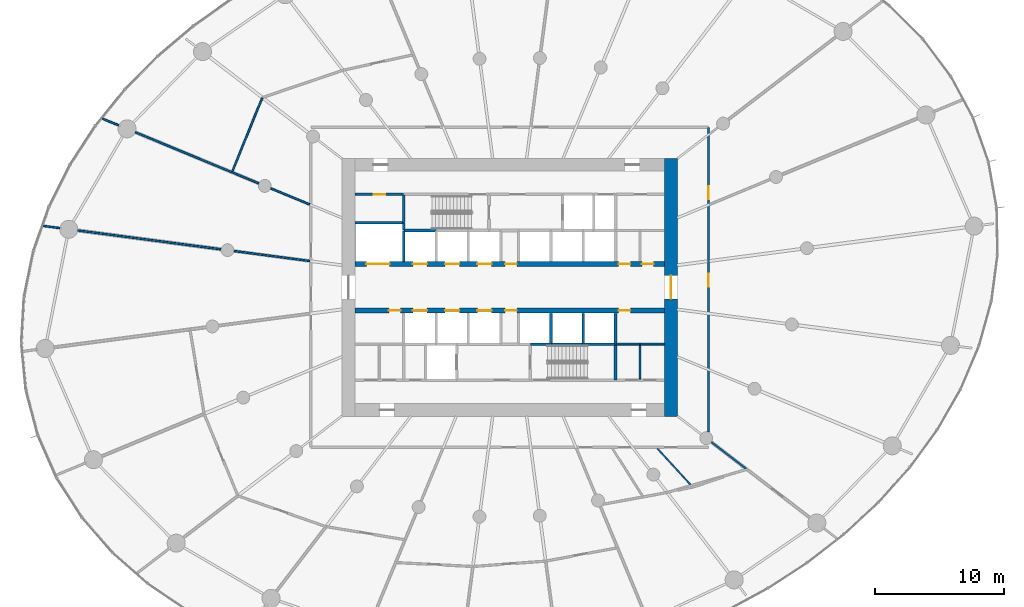
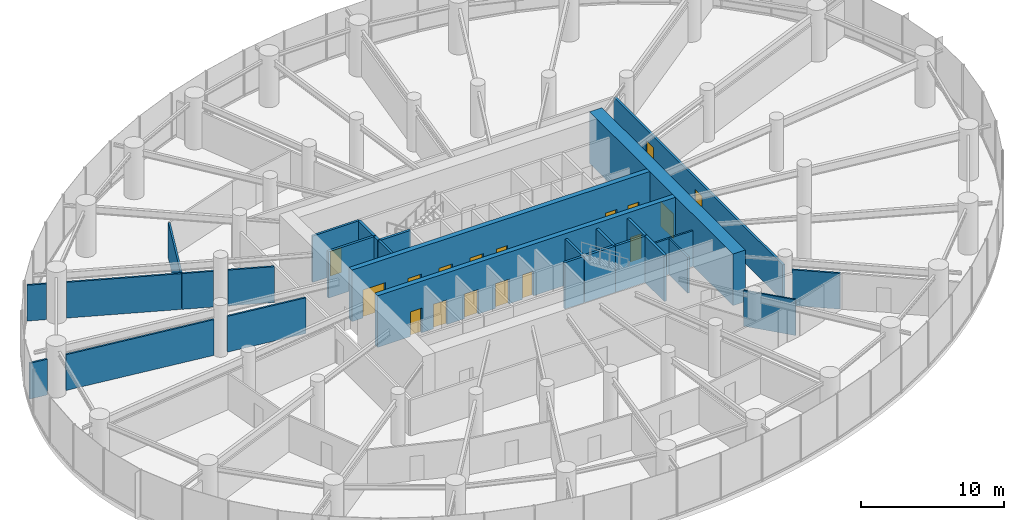
# One storey, part 13 of 18: 30 walls, 17 doors, 17 openings.
"""IFC4 building model written with IfcOpenShell, lengths in metres."""

from ifc_helpers import new_model, si_unit, direction, frame, frame_2d, origin, place, context, subcontext, project, spatial, rectangle, extrude, source, transform, mapped, material, layer, layer_set, type_object, element, fill, save


model = new_model("IFC4")

# Units and contexts
model_context = context("Model", 3, precision=1e-05, world=origin(), true_north=direction((0.0, 1.0)))
body_context = subcontext(model_context, "Body", "Model", "MODEL_VIEW")
ifc_project = project(units=[si_unit("LENGTHUNIT", "METRE"), si_unit("AREAUNIT", "SQUARE_METRE"), si_unit("VOLUMEUNIT", "CUBIC_METRE"), si_unit("PLANEANGLEUNIT", "RADIAN"), si_unit("MASSUNIT", "GRAM", prefix="KILO")], contexts=[model_context])

# Site, building, storey
site_placement = place(None, origin())
site = spatial("IfcSite", under=ifc_project, at=site_placement, CompositionType="ELEMENT")
building_placement = place(site_placement, origin())
building = spatial("IfcBuilding", under=site, at=building_placement, Name="Spindrift Exchange Tower", CompositionType="ELEMENT")
storey_placement = place(building_placement, frame((0.0, 0.0, 66.60009765625)))
storey = spatial("IfcBuildingStorey", under=building, at=storey_placement, Name="L15", CompositionType="ELEMENT", Elevation=66.60009765625)

# Wall, opening, door
ifc_material_1 = material(Name="Concrete 80 MPa", Category="concrete")
ifc_layer_1 = layer(ifc_material_1, 1.0)
ifc_layer_set_1 = layer_set([ifc_layer_1], Name="RC Core Wall 1000 Concrete 80 MPa")
wall_type_1 = type_object("IfcWallType", Name="RC Core Wall 1000 Concrete 80 MPa", PredefinedType="SHEAR", material=ifc_layer_set_1)
wall_1_placement = place(storey_placement, frame((64.5, 38.0, 0.0), z_axis=(0.0, 0.0, 1.0), x_axis=(0.0, 1.0, 0.0)))
wall_1 = element("IfcWall", 1, at=wall_1_placement, inside=storey, type_object=wall_type_1, Name="Core wall E L15", PredefinedType="SHEAR", context=body_context, shape_type="SweptSolid", body=[
    extrude(rectangle(XDim=20.0, YDim=1.0, at=frame_2d((10.0, 0.0))), origin(), (0.0, 0.0, 1.0), 4.39990234375),
])
opening_1_placement = place(wall_1_placement, frame((9.10009765625, 0.0, 0.0)))
opening_1 = element("IfcOpeningElement", 2, at=opening_1_placement, cuts=wall_1, Name="Opening L15-D2", PredefinedType="OPENING", context=body_context, shape_type="SweptSolid", body=[
    extrude(rectangle(XDim=1.800048828125, YDim=2.10009765625, at=frame_2d((0.89990234375, 1.050048828125))), frame((0.0, 0.510009765625, 0.0), z_axis=(0.0, -1.0, 0.0), x_axis=(1.0, 0.0, 0.0)), (0.0, 0.0, 1.0), 1.02001953125),
])
ifc_material_2 = material(Name="Timber-core fire door", Category="wood")
door_type_1 = type_object("IfcDoorType", Name="DR-LOBBY-1800", OperationType="NOTDEFINED", PredefinedType="DOOR", material=ifc_material_2)
shared_shape_1 = source(origin(), body_context, "Body", "SweptSolid", [
    extrude(rectangle(XDim=1.800048828125, YDim=2.10009765625, at=frame_2d((0.89990234375, 1.050048828125))), frame((0.0, 0.02490234375, 0.0), z_axis=(0.0, -1.0, 0.0), x_axis=(1.0, 0.0, 0.0)), (0.0, 0.0, 1.0), 0.050048828125),
])
door_1_placement = place(opening_1_placement, origin())
door_1 = element("IfcDoor", 3, at=door_1_placement, inside=storey, type_object=door_type_1, Name="L15 Lobby door 2", OperationType="SINGLE_SWING_RIGHT", OverallHeight=2.10009765625, OverallWidth=1.800048828125, PredefinedType="DOOR", context=body_context, shape_type="MappedRepresentation", body=[
    mapped(shared_shape_1, transform((0.0, 0.0, 0.0), scale=1.0)),
])
fill(opening_1, door_1)

# Wall, openings, doors
ifc_layer_2 = layer(ifc_material_1, 0.39990234375)
ifc_layer_set_2 = layer_set([ifc_layer_2], Name="RC Spine Wall 400 Concrete 80 MPa")
wall_type_2 = type_object("IfcWallType", Name="RC Spine Wall 400 Concrete 80 MPa", PredefinedType="SHEAR", material=ifc_layer_set_2)
wall_2_placement = place(storey_placement, frame((40.0, 49.800048828125, 0.0), z_axis=(0.0, 0.0, 1.0), x_axis=(1.0, 0.0, 0.0)))
wall_2 = element("IfcWall", 4, at=wall_2_placement, inside=storey, type_object=wall_type_2, Name="Core spine wall N L15", PredefinedType="SHEAR", context=body_context, shape_type="SweptSolid", body=[
    extrude(rectangle(XDim=24.0, YDim=0.39990234375, at=frame_2d((12.0, 0.0))), origin(), (0.0, 0.0, 1.0), 4.39990234375),
])
opening_2_placement = place(wall_2_placement, frame((4.5, 0.0, 0.0)))
opening_2 = element("IfcOpeningElement", 5, at=opening_2_placement, cuts=wall_2, Name="Opening L15-D3", PredefinedType="OPENING", context=body_context, shape_type="SweptSolid", body=[
    extrude(rectangle(XDim=1.10009765625, YDim=2.10009765625, at=frame_2d((0.550048828125, 1.050048828125))), frame((0.0, 0.2099609375, 0.0), z_axis=(0.0, -1.0, 0.0), x_axis=(1.0, 0.0, 0.0)), (0.0, 0.0, 1.0), 0.419921875),
])
opening_3_placement = place(wall_2_placement, frame((7.0, 0.0, 0.0)))
opening_3 = element("IfcOpeningElement", 6, at=opening_3_placement, cuts=wall_2, Name="Opening L15-D4", PredefinedType="OPENING", context=body_context, shape_type="SweptSolid", body=[
    extrude(rectangle(XDim=1.10009765625, YDim=2.10009765625, at=frame_2d((0.550048828125, 1.050048828125))), frame((0.0, 0.2099609375, 0.0), z_axis=(0.0, -1.0, 0.0), x_axis=(1.0, 0.0, 0.0)), (0.0, 0.0, 1.0), 0.419921875),
])
opening_4_placement = place(wall_2_placement, frame((9.5, 0.0, 0.0)))
opening_4 = element("IfcOpeningElement", 7, at=opening_4_placement, cuts=wall_2, Name="Opening L15-D5", PredefinedType="OPENING", context=body_context, shape_type="SweptSolid", body=[
    extrude(rectangle(XDim=1.10009765625, YDim=2.10009765625, at=frame_2d((0.550048828125, 1.050048828125))), frame((0.0, 0.2099609375, 0.0), z_axis=(0.0, -1.0, 0.0), x_axis=(1.0, 0.0, 0.0)), (0.0, 0.0, 1.0), 0.419921875),
])
opening_5_placement = place(wall_2_placement, frame((0.89990234375, 0.0, 0.0)))
opening_5 = element("IfcOpeningElement", 8, at=opening_5_placement, cuts=wall_2, Name="Opening L15-D12", PredefinedType="OPENING", context=body_context, shape_type="SweptSolid", body=[
    extrude(rectangle(XDim=1.800048828125, YDim=2.39990234375, at=frame_2d((0.89990234375, 1.199951171875))), frame((0.0, 0.2099609375, 0.0), z_axis=(0.0, -1.0, 0.0), x_axis=(1.0, 0.0, 0.0)), (0.0, 0.0, 1.0), 0.419921875),
])
opening_6_placement = place(wall_2_placement, frame((20.449951171875, 0.0, 0.0)))
opening_6 = element("IfcOpeningElement", 9, at=opening_6_placement, cuts=wall_2, Name="Opening L15-D49", PredefinedType="OPENING", context=body_context, shape_type="SweptSolid", body=[
    extrude(rectangle(XDim=0.89990234375, YDim=2.10009765625, at=frame_2d((0.449951171875, 1.050048828125))), frame((0.0, 0.2099609375, 0.0), z_axis=(0.0, -1.0, 0.0), x_axis=(1.0, 0.0, 0.0)), (0.0, 0.0, 1.0), 0.419921875),
])
opening_7_placement = place(wall_2_placement, frame((22.25, 0.0, 0.0)))
opening_7 = element("IfcOpeningElement", 10, at=opening_7_placement, cuts=wall_2, Name="Opening L15-D50", PredefinedType="OPENING", context=body_context, shape_type="SweptSolid", body=[
    extrude(rectangle(XDim=0.89990234375, YDim=2.10009765625, at=frame_2d((0.449951171875, 1.050048828125))), frame((0.0, 0.2099609375, 0.0), z_axis=(0.0, -1.0, 0.0), x_axis=(1.0, 0.0, 0.0)), (0.0, 0.0, 1.0), 0.419921875),
])
opening_8_placement = place(wall_2_placement, frame((11.64990234375, 0.0, 0.0)))
opening_8 = element("IfcOpeningElement", 11, at=opening_8_placement, cuts=wall_2, Name="Opening L15-D55", PredefinedType="OPENING", context=body_context, shape_type="SweptSolid", body=[
    extrude(rectangle(XDim=0.89990234375, YDim=2.10009765625, at=frame_2d((0.449951171875, 1.050048828125))), frame((0.0, 0.2099609375, 0.0), z_axis=(0.0, -1.0, 0.0), x_axis=(1.0, 0.0, 0.0)), (0.0, 0.0, 1.0), 0.419921875),
])
ifc_material_3 = material(Name="Stainless steel landing door", Category="steel")
door_type_2 = type_object("IfcDoorType", Name="DR-LANDING-1100-SL", OperationType="DOUBLE_DOOR_SLIDING", PredefinedType="USERDEFINED", material=ifc_material_3)
shared_shape_2 = source(origin(), body_context, "Body", "SweptSolid", [
    extrude(rectangle(XDim=1.10009765625, YDim=2.10009765625, at=frame_2d((0.550048828125, 1.050048828125))), frame((0.0, 0.02490234375, 0.0), z_axis=(0.0, -1.0, 0.0), x_axis=(1.0, 0.0, 0.0)), (0.0, 0.0, 1.0), 0.050048828125),
])
door_2_placement = place(opening_2_placement, origin())
door_2 = element("IfcDoor", 12, at=door_2_placement, inside=storey, type_object=door_type_2, Name="L15 Lift landing door 3", ObjectType="LANDING DOOR", OperationType="DOUBLE_DOOR_SLIDING", OverallHeight=2.10009765625, OverallWidth=1.10009765625, PredefinedType="USERDEFINED", context=body_context, shape_type="MappedRepresentation", body=[
    mapped(shared_shape_2, transform((0.0, 0.0, 0.0), scale=1.0)),
])
fill(opening_2, door_2)
door_3_placement = place(opening_3_placement, origin())
door_3 = element("IfcDoor", 13, at=door_3_placement, inside=storey, type_object=door_type_2, Name="L15 Lift landing door 4", ObjectType="LANDING DOOR", OperationType="DOUBLE_DOOR_SLIDING", OverallHeight=2.10009765625, OverallWidth=1.10009765625, PredefinedType="USERDEFINED", context=body_context, shape_type="MappedRepresentation", body=[
    mapped(shared_shape_2, transform((0.0, 0.0, 0.0), scale=1.0)),
])
fill(opening_3, door_3)
door_4_placement = place(opening_4_placement, origin())
door_4 = element("IfcDoor", 14, at=door_4_placement, inside=storey, type_object=door_type_2, Name="L15 Lift landing door 5", ObjectType="LANDING DOOR", OperationType="DOUBLE_DOOR_SLIDING", OverallHeight=2.10009765625, OverallWidth=1.10009765625, PredefinedType="USERDEFINED", context=body_context, shape_type="MappedRepresentation", body=[
    mapped(shared_shape_2, transform((0.0, 0.0, 0.0), scale=1.0)),
])
fill(opening_4, door_4)
door_type_3 = type_object("IfcDoorType", Name="DR-LANDING-1800-SL", OperationType="DOUBLE_DOOR_SLIDING", PredefinedType="USERDEFINED", material=ifc_material_3)
shared_shape_3 = source(origin(), body_context, "Body", "SweptSolid", [
    extrude(rectangle(XDim=1.800048828125, YDim=2.39990234375, at=frame_2d((0.89990234375, 1.199951171875))), frame((0.0, 0.02490234375, 0.0), z_axis=(0.0, -1.0, 0.0), x_axis=(1.0, 0.0, 0.0)), (0.0, 0.0, 1.0), 0.050048828125),
])
door_5_placement = place(opening_5_placement, origin())
door_5 = element("IfcDoor", 15, at=door_5_placement, inside=storey, type_object=door_type_3, Name="L15 Lift landing door 12", ObjectType="LANDING DOOR", OperationType="DOUBLE_DOOR_SLIDING", OverallHeight=2.39990234375, OverallWidth=1.800048828125, PredefinedType="USERDEFINED", context=body_context, shape_type="MappedRepresentation", body=[
    mapped(shared_shape_3, transform((0.0, 0.0, 0.0), scale=1.0)),
])
fill(opening_5, door_5)
ifc_material_4 = material(Name="Steel access door", Category="steel")
door_type_4 = type_object("IfcDoorType", Name="DR-RISER-900", OperationType="NOTDEFINED", PredefinedType="DOOR", material=ifc_material_4)
shared_shape_4 = source(origin(), body_context, "Body", "SweptSolid", [
    extrude(rectangle(XDim=0.89990234375, YDim=2.10009765625, at=frame_2d((0.449951171875, 1.050048828125))), frame((0.0, 0.02490234375, 0.0), z_axis=(0.0, -1.0, 0.0), x_axis=(1.0, 0.0, 0.0)), (0.0, 0.0, 1.0), 0.050048828125),
])
door_6_placement = place(opening_6_placement, origin())
door_6 = element("IfcDoor", 16, at=door_6_placement, inside=storey, type_object=door_type_4, Name="L15 Riser door 49", OperationType="SINGLE_SWING_LEFT", OverallHeight=2.10009765625, OverallWidth=0.89990234375, PredefinedType="DOOR", context=body_context, shape_type="MappedRepresentation", body=[
    mapped(shared_shape_4, transform((0.0, 0.0, 0.0), scale=1.0)),
])
fill(opening_6, door_6)
door_7_placement = place(opening_7_placement, origin())
door_7 = element("IfcDoor", 17, at=door_7_placement, inside=storey, type_object=door_type_4, Name="L15 Riser door 50", OperationType="SINGLE_SWING_RIGHT", OverallHeight=2.10009765625, OverallWidth=0.89990234375, PredefinedType="DOOR", context=body_context, shape_type="MappedRepresentation", body=[
    mapped(shared_shape_4, transform((0.0, 0.0, 0.0), scale=1.0)),
])
fill(opening_7, door_7)
door_8_placement = place(opening_8_placement, origin())
door_8 = element("IfcDoor", 18, at=door_8_placement, inside=storey, type_object=door_type_4, Name="L15 Riser door 55", OperationType="SINGLE_SWING_LEFT", OverallHeight=2.10009765625, OverallWidth=0.89990234375, PredefinedType="DOOR", context=body_context, shape_type="MappedRepresentation", body=[
    mapped(shared_shape_4, transform((0.0, 0.0, 0.0), scale=1.0)),
])
fill(opening_8, door_8)

wall_3_placement = place(storey_placement, frame((40.0, 46.199951171875, 0.0), z_axis=(0.0, 0.0, 1.0), x_axis=(1.0, 0.0, 0.0)))
wall_3 = element("IfcWall", 19, at=wall_3_placement, inside=storey, type_object=wall_type_2, Name="Core spine wall S L15", PredefinedType="SHEAR", context=body_context, shape_type="SweptSolid", body=[
    extrude(rectangle(XDim=24.0, YDim=0.39990234375, at=frame_2d((12.0, 0.0))), origin(), (0.0, 0.0, 1.0), 4.39990234375),
])
opening_9_placement = place(wall_3_placement, frame((4.5, 0.0, 0.0)))
opening_9 = element("IfcOpeningElement", 20, at=opening_9_placement, cuts=wall_3, Name="Opening L15-D6", PredefinedType="OPENING", context=body_context, shape_type="SweptSolid", body=[
    extrude(rectangle(XDim=1.10009765625, YDim=2.10009765625, at=frame_2d((0.550048828125, 1.050048828125))), frame((0.0, 0.2099609375, 0.0), z_axis=(0.0, -1.0, 0.0), x_axis=(1.0, 0.0, 0.0)), (0.0, 0.0, 1.0), 0.419921875),
])
opening_10_placement = place(wall_3_placement, frame((7.0, 0.0, 0.0)))
opening_10 = element("IfcOpeningElement", 21, at=opening_10_placement, cuts=wall_3, Name="Opening L15-D7", PredefinedType="OPENING", context=body_context, shape_type="SweptSolid", body=[
    extrude(rectangle(XDim=1.10009765625, YDim=2.10009765625, at=frame_2d((0.550048828125, 1.050048828125))), frame((0.0, 0.2099609375, 0.0), z_axis=(0.0, -1.0, 0.0), x_axis=(1.0, 0.0, 0.0)), (0.0, 0.0, 1.0), 0.419921875),
])
opening_11_placement = place(wall_3_placement, frame((9.5, 0.0, 0.0)))
opening_11 = element("IfcOpeningElement", 22, at=opening_11_placement, cuts=wall_3, Name="Opening L15-D8", PredefinedType="OPENING", context=body_context, shape_type="SweptSolid", body=[
    extrude(rectangle(XDim=1.10009765625, YDim=2.10009765625, at=frame_2d((0.550048828125, 1.050048828125))), frame((0.0, 0.2099609375, 0.0), z_axis=(0.0, -1.0, 0.0), x_axis=(1.0, 0.0, 0.0)), (0.0, 0.0, 1.0), 0.419921875),
])
opening_12_placement = place(wall_3_placement, frame((20.449951171875, 0.0, 0.0)))
opening_12 = element("IfcOpeningElement", 23, at=opening_12_placement, cuts=wall_3, Name="Opening L15-D48", PredefinedType="OPENING", context=body_context, shape_type="SweptSolid", body=[
    extrude(rectangle(XDim=0.89990234375, YDim=2.10009765625, at=frame_2d((0.449951171875, 1.050048828125))), frame((0.0, 0.2099609375, 0.0), z_axis=(0.0, -1.0, 0.0), x_axis=(1.0, 0.0, 0.0)), (0.0, 0.0, 1.0), 0.419921875),
])
opening_13_placement = place(wall_3_placement, frame((2.64990234375, 0.0, 0.0)))
opening_13 = element("IfcOpeningElement", 24, at=opening_13_placement, cuts=wall_3, Name="Opening L15-D54", PredefinedType="OPENING", context=body_context, shape_type="SweptSolid", body=[
    extrude(rectangle(XDim=0.89990234375, YDim=2.10009765625, at=frame_2d((0.449951171875, 1.050048828125))), frame((0.0, 0.2099609375, 0.0), z_axis=(0.0, -1.0, 0.0), x_axis=(1.0, 0.0, 0.0)), (0.0, 0.0, 1.0), 0.419921875),
])
opening_14_placement = place(wall_3_placement, frame((11.64990234375, 0.0, 0.0)))
opening_14 = element("IfcOpeningElement", 25, at=opening_14_placement, cuts=wall_3, Name="Opening L15-D56", PredefinedType="OPENING", context=body_context, shape_type="SweptSolid", body=[
    extrude(rectangle(XDim=0.89990234375, YDim=2.10009765625, at=frame_2d((0.449951171875, 1.050048828125))), frame((0.0, 0.2099609375, 0.0), z_axis=(0.0, -1.0, 0.0), x_axis=(1.0, 0.0, 0.0)), (0.0, 0.0, 1.0), 0.419921875),
])
door_9_placement = place(opening_9_placement, origin())
door_9 = element("IfcDoor", 26, at=door_9_placement, inside=storey, type_object=door_type_2, Name="L15 Lift landing door 6", ObjectType="LANDING DOOR", OperationType="DOUBLE_DOOR_SLIDING", OverallHeight=2.10009765625, OverallWidth=1.10009765625, PredefinedType="USERDEFINED", context=body_context, shape_type="MappedRepresentation", body=[
    mapped(shared_shape_2, transform((0.0, 0.0, 0.0), scale=1.0)),
])
fill(opening_9, door_9)
door_10_placement = place(opening_10_placement, origin())
door_10 = element("IfcDoor", 27, at=door_10_placement, inside=storey, type_object=door_type_2, Name="L15 Lift landing door 7", ObjectType="LANDING DOOR", OperationType="DOUBLE_DOOR_SLIDING", OverallHeight=2.10009765625, OverallWidth=1.10009765625, PredefinedType="USERDEFINED", context=body_context, shape_type="MappedRepresentation", body=[
    mapped(shared_shape_2, transform((0.0, 0.0, 0.0), scale=1.0)),
])
fill(opening_10, door_10)
door_11_placement = place(opening_11_placement, origin())
door_11 = element("IfcDoor", 28, at=door_11_placement, inside=storey, type_object=door_type_2, Name="L15 Lift landing door 8", ObjectType="LANDING DOOR", OperationType="DOUBLE_DOOR_SLIDING", OverallHeight=2.10009765625, OverallWidth=1.10009765625, PredefinedType="USERDEFINED", context=body_context, shape_type="MappedRepresentation", body=[
    mapped(shared_shape_2, transform((0.0, 0.0, 0.0), scale=1.0)),
])
fill(opening_11, door_11)
door_12_placement = place(opening_12_placement, origin())
door_12 = element("IfcDoor", 29, at=door_12_placement, inside=storey, type_object=door_type_4, Name="L15 Riser door 48", OperationType="SINGLE_SWING_RIGHT", OverallHeight=2.10009765625, OverallWidth=0.89990234375, PredefinedType="DOOR", context=body_context, shape_type="MappedRepresentation", body=[
    mapped(shared_shape_4, transform((0.0, 0.0, 0.0), scale=1.0)),
])
fill(opening_12, door_12)
door_13_placement = place(opening_13_placement, origin())
door_13 = element("IfcDoor", 30, at=door_13_placement, inside=storey, type_object=door_type_4, Name="L15 Riser door 54", OperationType="SINGLE_SWING_RIGHT", OverallHeight=2.10009765625, OverallWidth=0.89990234375, PredefinedType="DOOR", context=body_context, shape_type="MappedRepresentation", body=[
    mapped(shared_shape_4, transform((0.0, 0.0, 0.0), scale=1.0)),
])
fill(opening_13, door_13)
door_14_placement = place(opening_14_placement, origin())
door_14 = element("IfcDoor", 31, at=door_14_placement, inside=storey, type_object=door_type_4, Name="L15 Riser door 56", OperationType="SINGLE_SWING_RIGHT", OverallHeight=2.10009765625, OverallWidth=0.89990234375, PredefinedType="DOOR", context=body_context, shape_type="MappedRepresentation", body=[
    mapped(shared_shape_4, transform((0.0, 0.0, 0.0), scale=1.0)),
])
fill(opening_14, door_14)

ifc_material_5 = material(Name="Fire-rated plasterboard partition", Category="gypsum")
ifc_layer_3 = layer(ifc_material_5, 0.179931640625)
ifc_layer_set_3 = layer_set([ifc_layer_3], Name="W-CORR-180")
wall_type_3 = type_object("IfcWallType", Name="W-CORR-180", PredefinedType="PARTITIONING", material=ifc_layer_set_3)
wall_4_placement = place(storey_placement, frame((67.39990234375, 60.3701171875, 0.0), z_axis=(0.0, 0.0, 1.0), x_axis=(0.0, -1.0, 0.0)))
wall_4 = element("IfcWall", 32, at=wall_4_placement, inside=storey, type_object=wall_type_3, Name="L15 Partition wall 59", PredefinedType="PARTITIONING", context=body_context, shape_type="SweptSolid", body=[
    extrude(rectangle(XDim=23.58251953125, YDim=0.179931640625, at=frame_2d((11.791259765625, 0.0))), origin(), (0.0, 0.0, 1.0), 3.0498046875),
])
opening_15_placement = place(wall_4_placement, frame((11.33251953125, 0.0, 0.0)))
opening_15 = element("IfcOpeningElement", 33, at=opening_15_placement, cuts=wall_4, Name="Opening L15-D27", PredefinedType="OPENING", context=body_context, shape_type="SweptSolid", body=[
    extrude(rectangle(XDim=1.0, YDim=2.10009765625, at=frame_2d((0.5, 1.050048828125))), frame((0.0, 0.099853515625, 0.0), z_axis=(0.0, -1.0, 0.0), x_axis=(1.0, 0.0, 0.0)), (0.0, 0.0, 1.0), 0.199951171875),
])
opening_16_placement = place(wall_4_placement, frame((4.532470703125, 0.0, 0.0)))
opening_16 = element("IfcOpeningElement", 34, at=opening_16_placement, cuts=wall_4, Name="Opening L15-D29", PredefinedType="OPENING", context=body_context, shape_type="SweptSolid", body=[
    extrude(rectangle(XDim=1.0, YDim=2.10009765625, at=frame_2d((0.5, 1.050048828125))), frame((0.0, 0.099853515625, 0.0), z_axis=(0.0, -1.0, 0.0), x_axis=(1.0, 0.0, 0.0)), (0.0, 0.0, 1.0), 0.199951171875),
])
door_type_5 = type_object("IfcDoorType", Name="DR-ROOM-1000", OperationType="NOTDEFINED", PredefinedType="DOOR", material=ifc_material_2)
shared_shape_5 = source(origin(), body_context, "Body", "SweptSolid", [
    extrude(rectangle(XDim=1.0, YDim=2.10009765625, at=frame_2d((0.5, 1.050048828125))), frame((0.0, 0.02490234375, 0.0), z_axis=(0.0, -1.0, 0.0), x_axis=(1.0, 0.0, 0.0)), (0.0, 0.0, 1.0), 0.050048828125),
])
door_15_placement = place(opening_15_placement, origin())
door_15 = element("IfcDoor", 35, at=door_15_placement, inside=storey, type_object=door_type_5, Name="L15 Door 27", OperationType="SINGLE_SWING_LEFT", OverallHeight=2.10009765625, OverallWidth=1.0, PredefinedType="DOOR", context=body_context, shape_type="MappedRepresentation", body=[
    mapped(shared_shape_5, transform((0.0, 0.0, 0.0), scale=1.0)),
])
fill(opening_15, door_15)
door_16_placement = place(opening_16_placement, origin())
door_16 = element("IfcDoor", 36, at=door_16_placement, inside=storey, type_object=door_type_5, Name="L15 Door 29", OperationType="SINGLE_SWING_LEFT", OverallHeight=2.10009765625, OverallWidth=1.0, PredefinedType="DOOR", context=body_context, shape_type="MappedRepresentation", body=[
    mapped(shared_shape_5, transform((0.0, 0.0, 0.0), scale=1.0)),
])
fill(opening_16, door_16)

# Wall, opening, door
wall_5_placement = place(storey_placement, frame((43.77001953125, 55.199951171875, 0.0), z_axis=(0.0, 0.0, 1.0), x_axis=(-1.0, 0.0, 0.0)))
wall_5 = element("IfcWall", 37, at=wall_5_placement, inside=storey, type_object=wall_type_3, Name="L15 Partition wall 62", PredefinedType="PARTITIONING", context=body_context, shape_type="SweptSolid", body=[
    extrude(rectangle(XDim=3.75, YDim=0.179931640625, at=frame_2d((1.875, 0.0))), origin(), (0.0, 0.0, 1.0), 3.949951171875),
])
opening_17_placement = place(wall_5_placement, frame((1.39990234375, 0.0, 0.0)))
opening_17 = element("IfcOpeningElement", 38, at=opening_17_placement, cuts=wall_5, Name="Opening L15-D45", PredefinedType="OPENING", context=body_context, shape_type="SweptSolid", body=[
    extrude(rectangle(XDim=0.89990234375, YDim=2.10009765625, at=frame_2d((0.449951171875, 1.050048828125))), frame((0.0, 0.099853515625, 0.0), z_axis=(0.0, -1.0, 0.0), x_axis=(1.0, 0.0, 0.0)), (0.0, 0.0, 1.0), 0.199951171875),
])
door_17_placement = place(opening_17_placement, origin())
door_17 = element("IfcDoor", 39, at=door_17_placement, inside=storey, type_object=door_type_4, Name="L15 Riser door 45", OperationType="SINGLE_SWING_LEFT", OverallHeight=2.10009765625, OverallWidth=0.89990234375, PredefinedType="DOOR", context=body_context, shape_type="MappedRepresentation", body=[
    mapped(shared_shape_4, transform((0.0, 0.0, 0.0), scale=1.0)),
])
fill(opening_17, door_17)

# Walls
ifc_layer_4 = layer(ifc_material_5, 0.139892578125)
ifc_layer_set_4 = layer_set([ifc_layer_4], Name="W-PART-140")
wall_type_4 = type_object("IfcWallType", Name="W-PART-140", PredefinedType="PARTITIONING", material=ifc_layer_set_4)
wall_6_placement = place(storey_placement, frame((29.63671875, 50.944091796875, 0.0), z_axis=(0.0, 0.0, 1.0), x_axis=(-0.991443306772, 0.130538000051, 0.0)))
element("IfcWall", 40, at=wall_6_placement, inside=storey, type_object=wall_type_4, Name="L15 Partition wall 66", PredefinedType="PARTITIONING", context=body_context, shape_type="SweptSolid", body=[
    extrude(rectangle(XDim=11.1953125, YDim=0.139892578125, at=frame_2d((5.59765625, 0.0))), origin(), (0.0, 0.0, 1.0), 3.0498046875),
])
wall_7_placement = place(storey_placement, frame((30.48681640625, 56.9111328125, 0.0), z_axis=(0.0, 0.0, 1.0), x_axis=(-0.923876068888, 0.382691794185, 0.0)))
element("IfcWall", 41, at=wall_7_placement, inside=storey, type_object=wall_type_4, Name="L15 Partition wall 72", PredefinedType="PARTITIONING", context=body_context, shape_type="SweptSolid", body=[
    extrude(rectangle(XDim=8.09619140625, YDim=0.139892578125, at=frame_2d((4.048095703125, 0.0))), origin(), (0.0, 0.0, 1.0), 3.0498046875),
])
wall_8_placement = place(storey_placement, frame((36.510009765625, 50.039306640625, 0.0), z_axis=(0.0, 0.0, 1.0), x_axis=(-0.991445034615, 0.130524876315, 0.0)))
element("IfcWall", 42, at=wall_8_placement, inside=storey, type_object=wall_type_4, Name="L15 Partition wall 85", PredefinedType="PARTITIONING", context=body_context, shape_type="SweptSolid", body=[
    extrude(rectangle(XDim=5.923828125, YDim=0.139892578125, at=frame_2d((2.9619140625, 0.0))), origin(), (0.0, 0.0, 1.0), 3.0498046875),
])
wall_9_placement = place(storey_placement, frame((67.632568359375, 36.004638671875, 0.0), z_axis=(0.0, 0.0, 1.0), x_axis=(0.793340144607, -0.608778625574, 0.0)))
element("IfcWall", 43, at=wall_9_placement, inside=storey, type_object=wall_type_4, Name="L15 Partition wall 100", PredefinedType="PARTITIONING", context=body_context, shape_type="SweptSolid", body=[
    extrude(rectangle(XDim=3.381103515625, YDim=0.139892578125, at=frame_2d((1.6904296875, 0.0))), origin(), (0.0, 0.0, 1.0), 3.0498046875),
])
wall_10_placement = place(storey_placement, frame((62.10009765625, 40.889892578125, 0.0), z_axis=(0.0, 0.0, 1.0), x_axis=(0.0, 1.0, 0.0)))
element("IfcWall", 44, at=wall_10_placement, inside=storey, type_object=wall_type_4, Name="L15 Partition wall 106", PredefinedType="PARTITIONING", context=body_context, shape_type="SweptSolid", body=[
    extrude(rectangle(XDim=2.710205078125, YDim=0.139892578125, at=frame_2d((1.35498046875, 0.0))), origin(), (0.0, 0.0, 1.0), 3.0498046875),
])
wall_11_placement = place(storey_placement, frame((60.22998046875, 43.60009765625, 0.0), z_axis=(0.0, 0.0, 1.0), x_axis=(1.0, 0.0, 0.0)))
element("IfcWall", 45, at=wall_11_placement, inside=storey, type_object=wall_type_4, Name="L15 Partition wall 113", PredefinedType="PARTITIONING", context=body_context, shape_type="SweptSolid", body=[
    extrude(rectangle(XDim=1.840087890625, YDim=0.139892578125, at=frame_2d((0.919921875, 0.0))), origin(), (0.0, 0.0, 1.0), 3.0498046875),
])
wall_12_placement = place(storey_placement, frame((62.1298828125, 43.60009765625, 0.0), z_axis=(0.0, 0.0, 1.0), x_axis=(1.0, 0.0, 0.0)))
element("IfcWall", 46, at=wall_12_placement, inside=storey, type_object=wall_type_4, Name="L15 Partition wall 116", PredefinedType="PARTITIONING", context=body_context, shape_type="SweptSolid", body=[
    extrude(rectangle(XDim=1.85009765625, YDim=0.139892578125, at=frame_2d((0.925048828125, 0.0))), origin(), (0.0, 0.0, 1.0), 3.0498046875),
])
wall_13_placement = place(storey_placement, frame((21.7041015625, 60.549072265625, 0.0), z_axis=(0.0, 0.0, 1.0), x_axis=(-0.923894797396, 0.382646577594, 0.0)))
element("IfcWall", 47, at=wall_13_placement, inside=storey, type_object=wall_type_4, Name="L15 Partition wall 120", PredefinedType="PARTITIONING", context=body_context, shape_type="SweptSolid", body=[
    extrude(rectangle(XDim=1.365478515625, YDim=0.139892578125, at=frame_2d((0.6826171875, 0.0))), origin(), (0.0, 0.0, 1.0), 3.0498046875),
])
wall_14_placement = place(storey_placement, frame((17.140625, 52.58935546875, 0.0), z_axis=(0.0, 0.0, 1.0), x_axis=(-0.991446721928, 0.130512059132, 0.0)))
element("IfcWall", 48, at=wall_14_placement, inside=storey, type_object=wall_type_4, Name="L15 Partition wall 121", PredefinedType="PARTITIONING", context=body_context, shape_type="SweptSolid", body=[
    extrude(rectangle(XDim=1.31689453125, YDim=0.139892578125, at=frame_2d((0.658447265625, 0.0))), origin(), (0.0, 0.0, 1.0), 3.0498046875),
])
ifc_layer_5 = layer(ifc_material_5, 0.139892578125)
ifc_layer_set_5 = layer_set([ifc_layer_5], Name="W-PLANT-140")
wall_type_5 = type_object("IfcWallType", Name="W-PLANT-140", PredefinedType="PARTITIONING", material=ifc_layer_set_5)
wall_15_placement = place(storey_placement, frame((32.825439453125, 62.6767578125, 0.0), z_axis=(0.0, 0.0, 1.0), x_axis=(-0.375902233723, -0.926659328277, 0.0)))
element("IfcWall", 49, at=wall_15_placement, inside=storey, type_object=wall_type_5, Name="L15 Partition wall 82", PredefinedType="PARTITIONING", context=body_context, shape_type="SweptSolid", body=[
    extrude(rectangle(XDim=6.15185546875, YDim=0.139892578125, at=frame_2d((3.075927734375, 0.0))), origin(), (0.0, 0.0, 1.0), 3.0498046875),
])
wall_16_placement = place(storey_placement, frame((36.510009765625, 54.416259765625, 0.0), z_axis=(0.0, 0.0, 1.0), x_axis=(-0.923911109142, 0.382607190737, 0.0)))
element("IfcWall", 50, at=wall_16_placement, inside=storey, type_object=wall_type_5, Name="L15 Partition wall 101", PredefinedType="PARTITIONING", context=body_context, shape_type="SweptSolid", body=[
    extrude(rectangle(XDim=3.264404296875, YDim=0.139892578125, at=frame_2d((1.63232421875, 0.0))), origin(), (0.0, 0.0, 1.0), 3.0498046875),
])
wall_17_placement = place(storey_placement, frame((32.560791015625, 56.052001953125, 0.0), z_axis=(0.0, 0.0, 1.0), x_axis=(-0.923877119512, 0.382689257808, 0.0)))
element("IfcWall", 51, at=wall_17_placement, inside=storey, type_object=wall_type_5, Name="L15 Partition wall 111", PredefinedType="PARTITIONING", context=body_context, shape_type="SweptSolid", body=[
    extrude(rectangle(XDim=2.215087890625, YDim=0.139892578125, at=frame_2d((1.107421875, 0.0))), origin(), (0.0, 0.0, 1.0), 3.0498046875),
])
ifc_material_6 = material(Name="Concrete 40 MPa", Category="concrete")
ifc_layer_6 = layer(ifc_material_6, 0.199951171875)
ifc_layer_set_6 = layer_set([ifc_layer_6], Name="W-SHAFT-200-LB")
wall_type_6 = type_object("IfcWallType", Name="W-SHAFT-200-LB", PredefinedType="SOLIDWALL", material=ifc_layer_set_6)
wall_18_placement = place(storey_placement, frame((43.800048828125, 53.0, 0.0), z_axis=(0.0, 0.0, 1.0), x_axis=(-1.0, 0.0, 0.0)))
element("IfcWall", 52, at=wall_18_placement, inside=storey, type_object=wall_type_6, Name="L15 Shaft wall 5", PredefinedType="SOLIDWALL", context=body_context, shape_type="SweptSolid", body=[
    extrude(rectangle(XDim=3.780029296875, YDim=0.199951171875, at=frame_2d((1.89013671875, 0.0))), origin(), (0.0, 0.0, 1.0), 3.949951171875),
])
wall_19_placement = place(storey_placement, frame((60.199951171875, 40.830078125, 0.0), z_axis=(0.0, 0.0, 1.0), x_axis=(0.0, 1.0, 0.0)))
element("IfcWall", 53, at=wall_19_placement, inside=storey, type_object=wall_type_6, Name="L15 Shaft wall 10", PredefinedType="SOLIDWALL", context=body_context, shape_type="SweptSolid", body=[
    extrude(rectangle(XDim=2.77001953125, YDim=0.199951171875, at=frame_2d((1.385009765625, 0.0))), origin(), (0.0, 0.0, 1.0), 3.949951171875),
])
for number, where, z_axis, x_axis, name in (
    (54, (46.300048828125, 52.39990234375, 0.0), (0.0, 0.0, 1.0), (-1.0, 0.0, 0.0), "L15 Shaft wall 15"),
    (55, (55.199951171875, 43.60009765625, 0.0), (0.0, 0.0, 1.0), (1.0, 0.0, 0.0), "L15 Shaft wall 19"),
):
    element("IfcWall", number, at=place(storey_placement, frame(where, z_axis=z_axis, x_axis=x_axis)), inside=storey, type_object=wall_type_6, Name=name, PredefinedType="SOLIDWALL", context=body_context, shape_type="SweptSolid", body=[
        extrude(rectangle(XDim=2.5, YDim=0.199951171875, at=frame_2d((1.25, 0.0))), origin(), (0.0, 0.0, 1.0), 3.949951171875),
    ])
wall_20_placement = place(storey_placement, frame((57.72998046875, 43.60009765625, 0.0), z_axis=(0.0, 0.0, 1.0), x_axis=(1.0, 0.0, 0.0)))
element("IfcWall", 56, at=wall_20_placement, inside=storey, type_object=wall_type_6, Name="L15 Shaft wall 20", PredefinedType="SOLIDWALL", context=body_context, shape_type="SweptSolid", body=[
    extrude(rectangle(XDim=2.43994140625, YDim=0.199951171875, at=frame_2d((1.219970703125, 0.0))), origin(), (0.0, 0.0, 1.0), 3.949951171875),
])
for number, where, z_axis, x_axis, name in (
    (57, (43.800048828125, 52.3701171875, 0.0), (0.0, 0.0, 1.0), (0.0, -1.0, 0.0), "L15 Shaft wall 24"),
    (58, (55.199951171875, 43.6298828125, 0.0), (0.0, 0.0, 1.0), (0.0, 1.0, 0.0), "L15 Shaft wall 33"),
    (59, (57.699951171875, 43.6298828125, 0.0), (0.0, 0.0, 1.0), (0.0, 1.0, 0.0), "L15 Shaft wall 35"),
    (60, (60.199951171875, 43.6298828125, 0.0), (0.0, 0.0, 1.0), (0.0, 1.0, 0.0), "L15 Shaft wall 37"),
):
    element("IfcWall", number, at=place(storey_placement, frame(where, z_axis=z_axis, x_axis=x_axis)), inside=storey, type_object=wall_type_6, Name=name, PredefinedType="SOLIDWALL", context=body_context, shape_type="SweptSolid", body=[
        extrude(rectangle(XDim=2.360107421875, YDim=0.199951171875, at=frame_2d((1.18017578125, 0.0))), origin(), (0.0, 0.0, 1.0), 3.949951171875),
    ])
wall_21_placement = place(storey_placement, frame((43.800048828125, 55.169921875, 0.0), z_axis=(0.0, 0.0, 1.0), x_axis=(0.0, -1.0, 0.0)))
element("IfcWall", 61, at=wall_21_placement, inside=storey, type_object=wall_type_6, Name="L15 Shaft wall 39", PredefinedType="SOLIDWALL", context=body_context, shape_type="SweptSolid", body=[
    extrude(rectangle(XDim=2.139892578125, YDim=0.199951171875, at=frame_2d((1.06982421875, 0.0))), origin(), (0.0, 0.0, 1.0), 3.949951171875),
])
wall_22_placement = place(storey_placement, frame((53.6298828125, 43.60009765625, 0.0), z_axis=(0.0, 0.0, 1.0), x_axis=(1.0, 0.0, 0.0)))
element("IfcWall", 62, at=wall_22_placement, inside=storey, type_object=wall_type_6, Name="L15 Shaft wall 46", PredefinedType="SOLIDWALL", context=body_context, shape_type="SweptSolid", body=[
    extrude(rectangle(XDim=1.5400390625, YDim=0.199951171875, at=frame_2d((0.77001953125, 0.0))), origin(), (0.0, 0.0, 1.0), 3.949951171875),
])
wall_23_placement = place(storey_placement, frame((43.800048828125, 52.429931640625, 0.0), z_axis=(0.0, 0.0, 1.0), x_axis=(0.0, 1.0, 0.0)))
element("IfcWall", 63, at=wall_23_placement, inside=storey, type_object=wall_type_6, Name="L15 Shaft wall 56", PredefinedType="SOLIDWALL", context=body_context, shape_type="SweptSolid", body=[
    extrude(rectangle(XDim=0.5400390625, YDim=0.199951171875, at=frame_2d((0.27001953125, 0.0))), origin(), (0.0, 0.0, 1.0), 3.949951171875),
])
ifc_layer_7 = layer(ifc_material_5, 0.1201171875)
ifc_layer_set_7 = layer_set([ifc_layer_7], Name="W-WET-120")
wall_type_7 = type_object("IfcWallType", Name="W-WET-120", PredefinedType="PARTITIONING", material=ifc_layer_set_7)
wall_24_placement = place(storey_placement, frame((63.445068359375, 35.510009765625, 0.0), z_axis=(0.0, 0.0, 1.0), x_axis=(0.675588275617, -0.737279107156, 0.0)))
element("IfcWall", 64, at=wall_24_placement, inside=storey, type_object=wall_type_7, Name="L15 Partition wall 132", PredefinedType="PARTITIONING", context=body_context, shape_type="SweptSolid", body=[
    extrude(rectangle(XDim=3.81103515625, YDim=0.1201171875, at=frame_2d((1.905517578125, 0.0))), origin(), (0.0, 0.0, 1.0), 3.0498046875),
])

save(model, "model.ifc")
